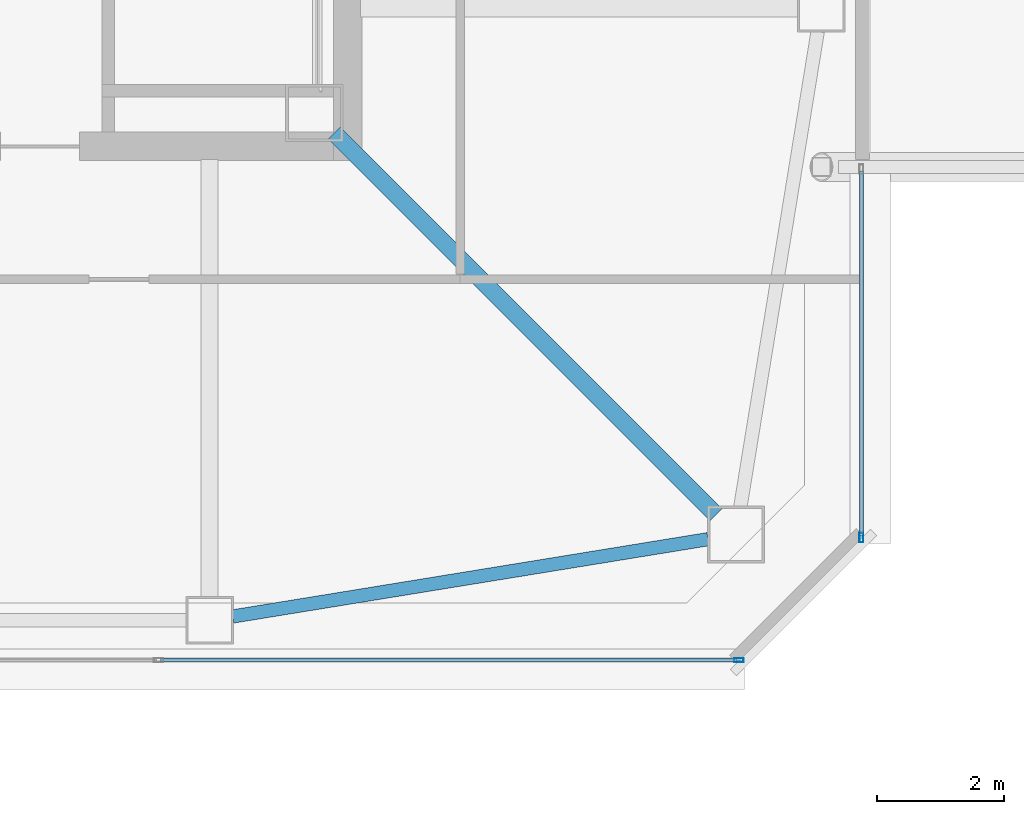
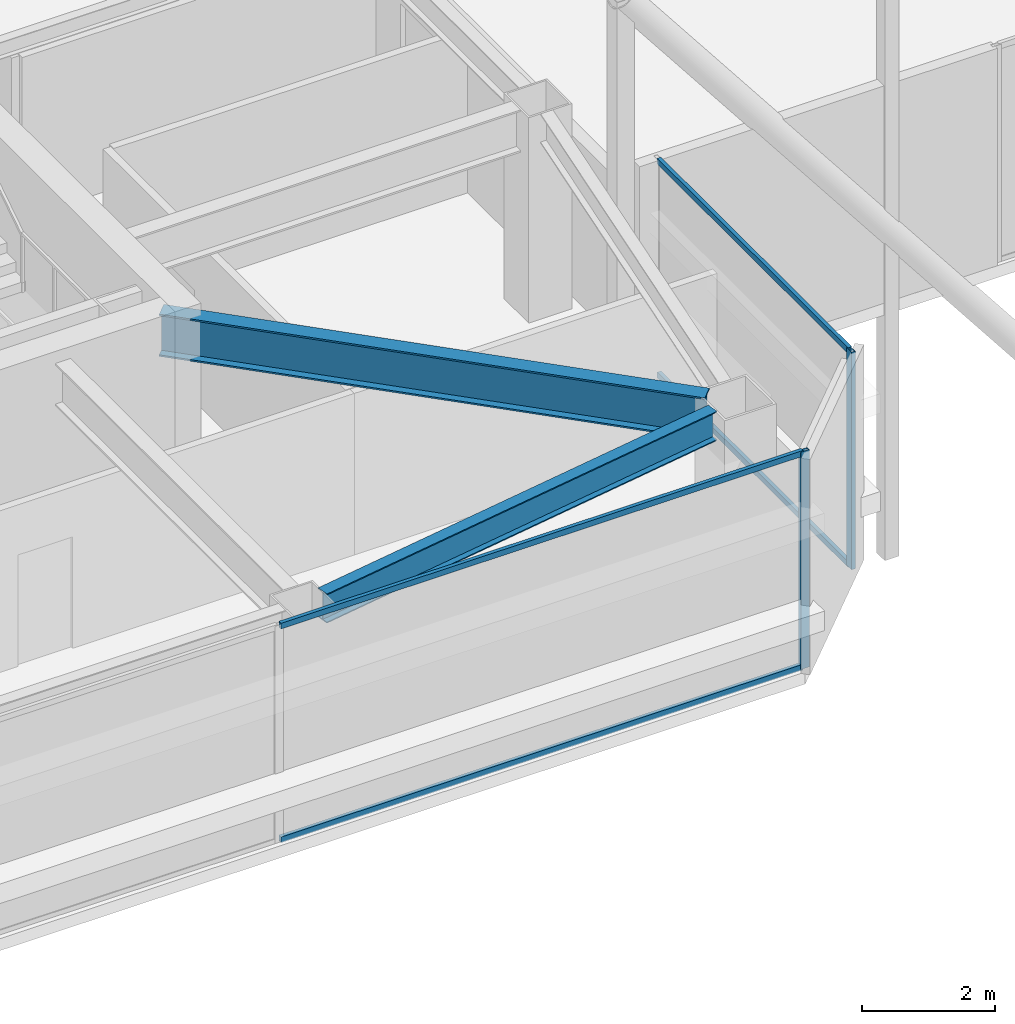
# One storey, part 11 of 53: 6 members, 2 beams, 2 elements without a shape of their own.
"""IFC4 building model written with IfcOpenShell, lengths in metres."""

from ifc_helpers import new_model, si_unit, direction, frame, origin, origin_2d, place, context, subcontext, project, spatial, hollow_rectangle, i_section, extrude, material, material_profile, profile_set, type_object, element, aggregate, save


model = new_model("IFC4")

# Units and contexts
model_context = context("Model", 3, precision=1e-05, world=origin(), true_north=direction((0.0, 1.0)))
body_context = subcontext(model_context, "Body", "Model", "MODEL_VIEW")
ifc_project = project(units=[si_unit("LENGTHUNIT", "METRE"), si_unit("AREAUNIT", "SQUARE_METRE"), si_unit("VOLUMEUNIT", "CUBIC_METRE"), si_unit("PLANEANGLEUNIT", "RADIAN"), si_unit("MASSUNIT", "GRAM", prefix="KILO")], contexts=[model_context])

# Site, building, storey
site_placement = place(None, origin())
site = spatial("IfcSite", under=ifc_project, at=site_placement, CompositionType="ELEMENT")
building_placement = place(site_placement, origin())
building = spatial("IfcBuilding", under=site, at=building_placement, Name="Tashvorn Skyway Center", CompositionType="ELEMENT")
storey_placement = place(building_placement, frame((0.0, 0.0, 255.39990234375)))
storey = spatial("IfcBuildingStorey", under=building, at=storey_placement, Name="L69", CompositionType="ELEMENT", Elevation=255.39990234375)

# Beams
ifc_material_1 = material(Name="Steel ASTM A992 Grade 50", Category="steel")
ifc_material_profile_1 = material_profile(ifc_material_1, i_section(OverallWidth=0.26708984375, OverallDepth=0.779052734375, WebThickness=0.0166015625, FlangeThickness=0.030029296875, at=origin_2d()), Name="W30X148")
ifc_profile_set_1 = profile_set([ifc_material_profile_1], Name="Steel ASTM A992 Grade 50")
beam_type_1 = type_object("IfcBeamType", Name="BM-BEAM-W30X148", PredefinedType="BEAM", material=ifc_profile_set_1)
beam_1_placement = place(storey_placement, frame((55.38525390625, 18.61474609375, 3.390625), z_axis=(-0.707106781187, 0.707106781187, 0.0), x_axis=(-0.707106781187, -0.707106781187, 0.0)))
element("IfcBeam", 1, at=beam_1_placement, inside=storey, type_object=beam_type_1, Name="Tower 1 L69 Primary Floor Girder MC-SE", PredefinedType="BEAM", context=body_context, shape_type="SweptSolid", body=[
    extrude(i_section(OverallWidth=0.26708984375, OverallDepth=0.779052734375, WebThickness=0.0166015625, FlangeThickness=0.030029296875, at=origin_2d()), origin(), (0.0, 0.0, 1.0), 8.514404296875),
])
ifc_material_profile_2 = material_profile(ifc_material_1, i_section(OverallWidth=0.2109375, OverallDepth=0.5390625, WebThickness=0.01171875, FlangeThickness=0.018798828125, at=origin_2d()), Name="W21X73")
ifc_profile_set_2 = profile_set([ifc_material_profile_2], Name="Steel ASTM A992 Grade 50")
beam_type_2 = type_object("IfcBeamType", Name="BM-SPANDREL-W21X73", PredefinedType="SPANDREL", material=ifc_profile_set_2)
beam_2_placement = place(storey_placement, frame((47.76513671875, 17.009521484375, 3.510498046875), z_axis=(0.987032749583, 0.160519005885, 0.0), x_axis=(-0.160519005885, 0.987032749583, 0.0)))
element("IfcBeam", 2, at=beam_2_placement, inside=storey, type_object=beam_type_2, Name="Tower 1 L69 Spandrel Beam 03", PredefinedType="SPANDREL", context=body_context, shape_type="SweptSolid", body=[
    extrude(i_section(OverallWidth=0.2109375, OverallDepth=0.5390625, WebThickness=0.01171875, FlangeThickness=0.018798828125, at=origin_2d()), origin(), (0.0, 0.0, 1.0), 7.593994140625),
])

# Curtain wall, member
ifc_material_2 = material(Name="Thermally broken bronze-anodized aluminium 6063-T6", Category="aluminium")
curtain_wall_type = type_object("IfcCurtainWallType", Name="CW-CW-SKY", PredefinedType="NOTDEFINED", material=ifc_material_2)
curtain_wall_1_placement = place(storey_placement, origin())
curtain_wall_1 = element("IfcCurtainWall", 3, at=curtain_wall_1_placement, inside=storey, type_object=curtain_wall_type, Name="Tower 1 L69 South Unitised Curtain Wall", PredefinedType="NOTDEFINED")
ifc_material_profile_3 = material_profile(ifc_material_2, hollow_rectangle(XDim=0.06494140625, YDim=0.14990234375, WallThickness=0.00390625, at=origin_2d()), Name="ALU-MULL-65x150")
ifc_profile_set_3 = profile_set([ifc_material_profile_3], Name="Thermally broken bronze-anodized aluminium 6063-T6")
member_type_1 = type_object("IfcMemberType", Name="CWM-CW-SKY", PredefinedType="MULLION", material=ifc_profile_set_3)
member_1_placement = place(storey_placement, frame((55.74755859375, 16.320068359375, 0.0), z_axis=(0.0, 0.0, 1.0), x_axis=(0.0, -1.0, 0.0)))
member_1 = element("IfcMember", 4, at=member_1_placement, type_object=member_type_1, Name="CW-SKY mullion 1", PredefinedType="MULLION", context=body_context, shape_type="SweptSolid", body=[
    extrude(hollow_rectangle(XDim=0.06494140625, YDim=0.14990234375, WallThickness=0.00390625, at=origin_2d()), origin(), (0.0, 0.0, 1.0), 4.0),
])

curtain_wall_2_placement = place(storey_placement, origin())
curtain_wall_2 = element("IfcCurtainWall", 5, at=curtain_wall_2_placement, inside=storey, type_object=curtain_wall_type, Name="Tower 1 L69 East Curtain Wall B", PredefinedType="NOTDEFINED")
member_2_placement = place(storey_placement, frame((57.679931640625, 18.25244140625, 0.0), z_axis=(0.0, 0.0, 1.0), x_axis=(1.0, 0.0, 0.0)))
member_2 = element("IfcMember", 6, at=member_2_placement, type_object=member_type_1, Name="CW-SKY mullion 2", PredefinedType="MULLION", context=body_context, shape_type="SweptSolid", body=[
    extrude(hollow_rectangle(XDim=0.06494140625, YDim=0.14990234375, WallThickness=0.00390625, at=origin_2d()), origin(), (0.0, 0.0, 1.0), 4.0),
])

# Member
ifc_material_profile_4 = material_profile(ifc_material_2, hollow_rectangle(XDim=0.06494140625, YDim=0.10498046875, WallThickness=0.00390625, at=origin_2d()), Name="ALU-TRAN-65x105")
ifc_profile_set_4 = profile_set([ifc_material_profile_4], Name="Thermally broken bronze-anodized aluminium 6063-T6")
member_type_2 = type_object("IfcMemberType", Name="CWT-CW-SKY", PredefinedType="USERDEFINED", material=ifc_profile_set_4)
member_3_placement = place(storey_placement, frame((55.715087890625, 16.320068359375, 0.03271484375), z_axis=(-1.0, 0.0, 0.0), x_axis=(0.0, -1.0, 0.0)))
member_3 = element("IfcMember", 7, at=member_3_placement, type_object=member_type_2, Name="CW-SKY transom 1.1", ObjectType="TRANSOM", PredefinedType="USERDEFINED", context=body_context, shape_type="SweptSolid", body=[
    extrude(hollow_rectangle(XDim=0.06494140625, YDim=0.10498046875, WallThickness=0.00390625, at=origin_2d()), origin(), (0.0, 0.0, 1.0), 9.08935546875),
])

member_4_placement = place(storey_placement, frame((55.715087890625, 16.320068359375, 3.967529296875), z_axis=(-1.0, 0.0, 0.0), x_axis=(0.0, -1.0, 0.0)))
member_4 = element("IfcMember", 8, at=member_4_placement, type_object=member_type_2, Name="CW-SKY transom 1.2", ObjectType="TRANSOM", PredefinedType="USERDEFINED", context=body_context, shape_type="SweptSolid", body=[
    extrude(hollow_rectangle(XDim=0.06494140625, YDim=0.10498046875, WallThickness=0.00390625, at=origin_2d()), origin(), (0.0, 0.0, 1.0), 9.08935546875),
])

aggregate(curtain_wall_1, [member_1, member_3, member_4])

member_5_placement = place(storey_placement, frame((57.679931640625, 24.034912109375, 0.03271484375), z_axis=(0.0, -1.0, 0.0), x_axis=(1.0, 0.0, 0.0)))
member_5 = element("IfcMember", 9, at=member_5_placement, type_object=member_type_2, Name="CW-SKY transom 1.1", ObjectType="TRANSOM", PredefinedType="USERDEFINED", context=body_context, shape_type="SweptSolid", body=[
    extrude(hollow_rectangle(XDim=0.06494140625, YDim=0.10498046875, WallThickness=0.00390625, at=origin_2d()), origin(), (0.0, 0.0, 1.0), 5.75),
])

member_6_placement = place(storey_placement, frame((57.679931640625, 24.034912109375, 3.967529296875), z_axis=(0.0, -1.0, 0.0), x_axis=(1.0, 0.0, 0.0)))
member_6 = element("IfcMember", 10, at=member_6_placement, type_object=member_type_2, Name="CW-SKY transom 1.2", ObjectType="TRANSOM", PredefinedType="USERDEFINED", context=body_context, shape_type="SweptSolid", body=[
    extrude(hollow_rectangle(XDim=0.06494140625, YDim=0.10498046875, WallThickness=0.00390625, at=origin_2d()), origin(), (0.0, 0.0, 1.0), 5.75),
])

aggregate(curtain_wall_2, [member_2, member_5, member_6])

save(model, "model.ifc")
